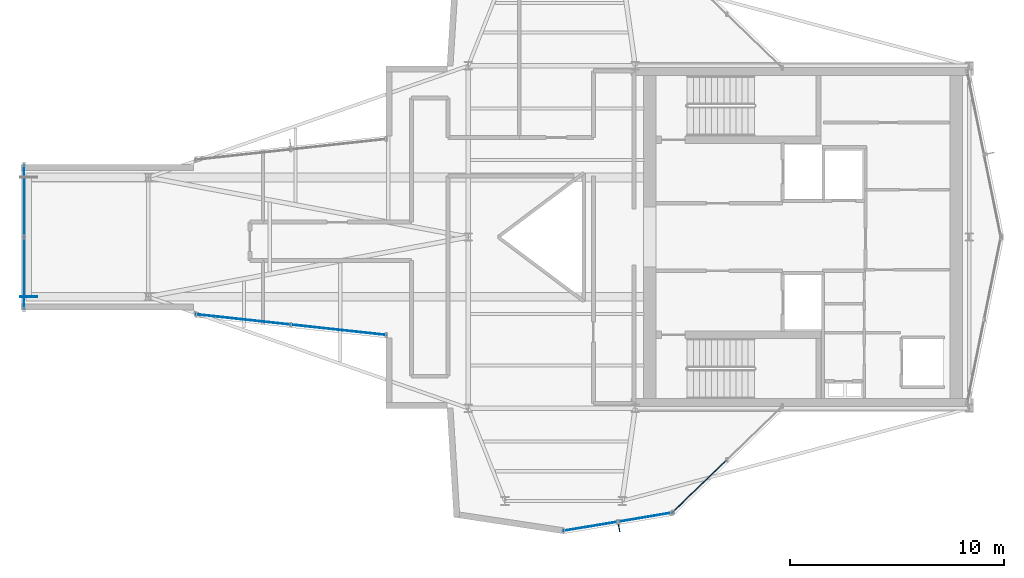
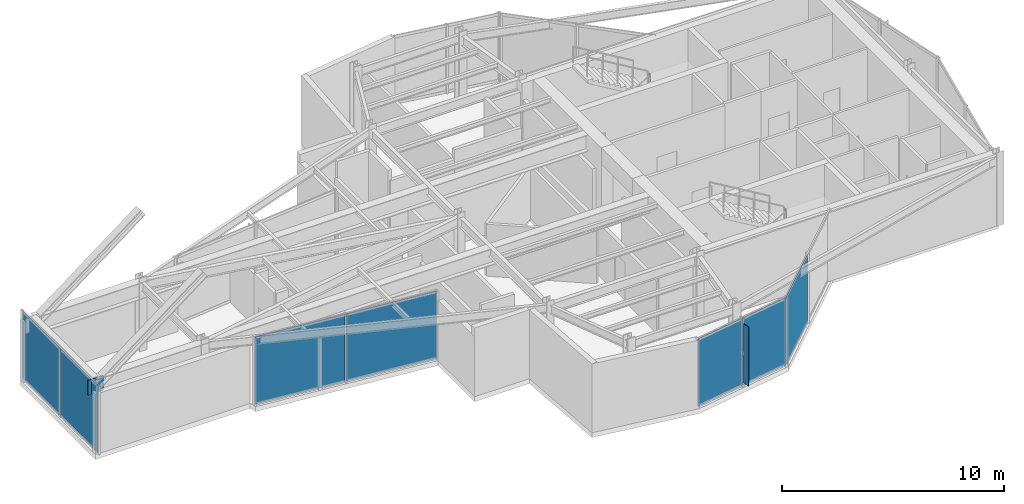
# One storey, part 10 of 16: 9 plates, 4 elements without a shape of their own.
"""IFC4 building model written with IfcOpenShell, lengths in metres."""

import ifcopenshell
import ifcopenshell.guid

model = None  # the IFC model being written
_history = None  # IfcOwnerHistory: only IFC2X3 demands one
_inside = {}  # id of a spatial element -> (the spatial element, [elements in it])
_under = {}  # id of a project, library or spatial element -> (it, [spatial elements below it])
_declared = {}  # id of a project -> (the project, [libraries it declares])
_typed = {}  # id of a type object -> (the type object, [elements of that type])
_made_of = {}  # id of a material, layer set ... -> (it, [elements and type objects made of it])


def new_model(schema):
    """Start an empty IFC model of exactly this schema.

    Asked for "IFC4X3", IfcOpenShell would pick the latest addendum, in which some entities
    have other attributes; the version numbers below select the first issue.
    IFC2X3 requires an IfcOwnerHistory on every rooted entity: one is made here for all.
    """
    global model, _history
    if schema == "IFC4X3":
        model = ifcopenshell.file(schema_version=(4, 3, 0, 0))
    else:
        model = ifcopenshell.file(schema=schema)
    _inside.clear()
    _under.clear()
    _declared.clear()
    _typed.clear()
    _made_of.clear()
    _history = None
    if model.schema == "IFC2X3":
        org = make("IfcOrganization", Name="unknown")
        user = make(
            "IfcPersonAndOrganization",
            ThePerson=make("IfcPerson", FamilyName="unknown"),
            TheOrganization=org,
        )
        app = make(
            "IfcApplication",
            ApplicationDeveloper=org,
            Version="unknown",
            ApplicationFullName="unknown",
            ApplicationIdentifier="unknown",
        )
        _history = make(
            "IfcOwnerHistory",
            OwningUser=user,
            OwningApplication=app,
            ChangeAction="ADDED",
            CreationDate=0,
        )
    return model


def make(cls, **values):
    """One entity of the class cls with the attributes given. An attribute that is None is left unset."""
    return model.create_entity(
        cls, **{name: value for name, value in values.items() if value is not None}
    )


def rooted(cls, **values):
    """An entity with a GlobalId (a new one), such as an element, a storey or a relation."""
    return make(cls, GlobalId=ifcopenshell.guid.new(), OwnerHistory=_history, **values)


def si_unit(unit_type, name, prefix=None):
    """IfcSIUnit, for example si_unit("LENGTHUNIT", "METRE", prefix="MILLI")."""
    return make("IfcSIUnit", UnitType=unit_type, Prefix=prefix, Name=name)


def assignment(units):
    """IfcUnitAssignment: the units of a project."""
    return None if units is None else make("IfcUnitAssignment", Units=units)


def point(xyz):
    """IfcCartesianPoint."""
    return None if xyz is None else make("IfcCartesianPoint", Coordinates=xyz)


def direction(xyz):
    """IfcDirection."""
    return None if xyz is None else make("IfcDirection", DirectionRatios=xyz)


def frame(location, z_axis=None, x_axis=None):
    """IfcAxis2Placement3D, a coordinate frame: its origin and axes. An axis left out is left unset."""
    return make(
        "IfcAxis2Placement3D",
        Location=point(location),
        Axis=direction(z_axis),
        RefDirection=direction(x_axis),
    )


def frame_2d(location, x_axis=None):
    """IfcAxis2Placement2D, a coordinate frame in the plane: its origin and x axis."""
    return make(
        "IfcAxis2Placement2D", Location=point(location), RefDirection=direction(x_axis)
    )


def origin():
    """The frame at (0, 0, 0) with its axes left unset."""
    return frame((0.0, 0.0, 0.0))


def origin_2d():
    """The frame at (0, 0) in the plane with its x axis left unset."""
    return frame_2d((0.0, 0.0))


def place(relative_to, where):
    """IfcLocalPlacement: puts the frame where relative to a parent placement (None: the world)."""
    return make(
        "IfcLocalPlacement", PlacementRelTo=relative_to, RelativePlacement=where
    )


def context(
    kind, dimensions, precision=None, world=None, true_north=None, identifier=None
):
    """IfcGeometricRepresentationContext, for example the 3D "Model" context."""
    return make(
        "IfcGeometricRepresentationContext",
        ContextIdentifier=identifier,
        ContextType=kind,
        CoordinateSpaceDimension=dimensions,
        Precision=precision,
        WorldCoordinateSystem=world,
        TrueNorth=true_north,
    )


def subcontext(parent, identifier, kind, view, scale=None):
    """IfcGeometricRepresentationSubContext, for example "Body" below "Model"."""
    return make(
        "IfcGeometricRepresentationSubContext",
        ContextIdentifier=identifier,
        ContextType=kind,
        ParentContext=parent,
        TargetScale=scale,
        TargetView=view,
    )


def project(units=None, contexts=None):
    """IfcProject with its units and contexts."""
    return rooted(
        "IfcProject",
        Name="project",
        RepresentationContexts=contexts,
        UnitsInContext=assignment(units),
    )


def spatial(cls, under=None, at=None, **own):
    """A site, building, storey or space (cls), placed at a placement, below another one or the project."""
    s = rooted(cls, ObjectPlacement=at, **own)
    if under is not None:
        _under.setdefault(under.id(), (under, []))[1].append(s)
    return s


def profile(cls, at=None, kind="AREA", **sizes):
    """A parametric profile (cls). Its sizes go by their IFC names, for example OverallWidth=200.0."""
    return make(cls, ProfileType=kind, Position=at, **sizes)


def rectangle(**sizes):
    """IfcRectangleProfileDef."""
    return profile("IfcRectangleProfileDef", **sizes)


def extrude(swept, where, along, depth):
    """IfcExtrudedAreaSolid: the profile swept, set in the frame where, extruded along a direction by depth."""
    return make(
        "IfcExtrudedAreaSolid",
        SweptArea=swept,
        Position=where,
        ExtrudedDirection=direction(along),
        Depth=depth,
    )


def shape(context_of_items, identifier, shape_type, items):
    """IfcShapeRepresentation: the items that make up one representation, for example the "Body"."""
    return make(
        "IfcShapeRepresentation",
        ContextOfItems=context_of_items,
        RepresentationIdentifier=identifier,
        RepresentationType=shape_type,
        Items=items,
    )


def material(Name=None, Category=None):
    """IfcMaterial."""
    return make("IfcMaterial", Name=Name, Category=Category)


def layer(
    of_material, thickness, ventilated=None, Name=None, Category=None, Priority=None
):
    """IfcMaterialLayer: one layer of a wall or slab, of a material (None: an air gap)."""
    return make(
        "IfcMaterialLayer",
        Material=of_material,
        LayerThickness=thickness,
        IsVentilated=ventilated,
        Name=Name,
        Category=Category,
        Priority=Priority,
    )


def layer_set(layers, Name=None):
    """IfcMaterialLayerSet."""
    return make("IfcMaterialLayerSet", MaterialLayers=layers, LayerSetName=Name)


def made_of(thing, what):
    """Note that an element or type object is made of a material, layer set ...; save() writes the relation."""
    if what is not None:
        _made_of.setdefault(what.id(), (what, []))[1].append(thing)
    return thing


def type_object(cls, material=None, **own):
    """A type object (cls), such as IfcWallType, which elements share."""
    return made_of(rooted(cls, **own), material)


def element(
    cls,
    number,
    at=None,
    inside=None,
    cuts=None,
    type_object=None,
    material=None,
    context=None,
    identifier="Body",
    shape_type=None,
    held_by="IfcProductDefinitionShape",
    body=None,
    shapes=None,
    **own,
):
    """One element of the class cls, such as IfcWall. Its Tag is "e" and its number.

    at: its placement. inside: the storey or other place that contains it. cuts: it is an
    opening in that element (IfcRelVoidsElement). A single representation is given by context,
    identifier, shape_type and body (its items); several are given by shapes. held_by: the class
    of the entity that holds the representations. save() writes the other relations.
    """
    e = rooted(cls, Tag="e%d" % number, ObjectPlacement=at, **own)
    if body is not None:
        shapes = [shape(context, identifier, shape_type, body)]
    if shapes is not None:
        e.Representation = make(held_by, Representations=shapes)
    if inside is not None:
        _inside.setdefault(inside.id(), (inside, []))[1].append(e)
    if cuts is not None:
        rooted(
            "IfcRelVoidsElement", RelatingBuildingElement=cuts, RelatedOpeningElement=e
        )
    if type_object is not None:
        _typed.setdefault(type_object.id(), (type_object, []))[1].append(e)
    return made_of(e, material)


def aggregate(whole, parts):
    """IfcRelAggregates: a whole, such as a stair, and the parts it consists of."""
    return rooted("IfcRelAggregates", RelatingObject=whole, RelatedObjects=parts)


def save(model, path):
    """Write the relations noted so far, then the file.

    IfcRelAggregates (storeys below a building ...), IfcRelContainedInSpatialStructure (elements
    in a storey), IfcRelDefinesByType, IfcRelAssociatesMaterial and IfcRelDeclares: one each for
    every whole, place, type object, material and project.
    """
    for whole, parts in _under.values():
        aggregate(whole, parts)
    for where, things in _inside.values():
        rooted(
            "IfcRelContainedInSpatialStructure",
            RelatedElements=things,
            RelatingStructure=where,
        )
    for kind, things in _typed.values():
        rooted("IfcRelDefinesByType", RelatedObjects=things, RelatingType=kind)
    for what, things in _made_of.values():
        rooted("IfcRelAssociatesMaterial", RelatedObjects=things, RelatingMaterial=what)
    for by, libraries in _declared.values():
        rooted("IfcRelDeclares", RelatingContext=by, RelatedDefinitions=libraries)
    model.write(path)


model = new_model("IFC4")

# Units and contexts
model_context = context("Model", 3, precision=1e-05, world=origin(), true_north=direction((0.0, 1.0)))
body_context = subcontext(model_context, "Body", "Model", "MODEL_VIEW")
ifc_project = project(units=[si_unit("LENGTHUNIT", "METRE"), si_unit("AREAUNIT", "SQUARE_METRE"), si_unit("VOLUMEUNIT", "CUBIC_METRE"), si_unit("PLANEANGLEUNIT", "RADIAN"), si_unit("MASSUNIT", "GRAM", prefix="KILO")], contexts=[model_context])

# Site, building, storey
site_placement = place(None, origin())
site = spatial("IfcSite", under=ifc_project, at=site_placement, CompositionType="ELEMENT")
building_placement = place(site_placement, origin())
building = spatial("IfcBuilding", under=site, at=building_placement, Name="Veymaron Broadcast Tower", CompositionType="ELEMENT")
storey_placement = place(building_placement, frame((0.0, 0.0, 315.449951171875)))
storey = spatial("IfcBuildingStorey", under=building, at=storey_placement, Name="L74", CompositionType="ELEMENT", Elevation=315.449951171875)

# Curtain wall, plates
ifc_material_1 = material(Name="Anodised aluminium AA 6063-T6 and laminated low-E dark glass", Category="aluminium")
ifc_layer_1 = layer(ifc_material_1, 0.179931640625)
ifc_layer_set_1 = layer_set([ifc_layer_1], Name="Anodised aluminium AA 6063-T6 and laminated low-E dark glass")
curtain_wall_type = type_object("IfcCurtainWallType", Name="CW-SYS-07", PredefinedType="NOTDEFINED", material=ifc_layer_set_1)
curtain_wall_1_placement = place(storey_placement, origin())
curtain_wall_1 = element("IfcCurtainWall", 1, at=curtain_wall_1_placement, inside=storey, type_object=curtain_wall_type, Name="L74 dark-glass curtain wall CW-L74-E2-1", PredefinedType="NOTDEFINED")
ifc_material_2 = material(Name="Triple-laminated solar-control dark glass IGU 36 mm", Category="glass")
ifc_layer_2 = layer(ifc_material_2, 0.035888671875)
ifc_layer_set_2 = layer_set([ifc_layer_2], Name="Triple-laminated solar-control dark glass IGU 36 mm")
plate_type_1 = type_object("IfcPlateType", Name="CW-PNL-01", PredefinedType="CURTAIN_PANEL", material=ifc_layer_set_2)
plate_1_placement = place(storey_placement, frame((20.684814453125, 20.14892578125, 0.0400390625), z_axis=(0.0, 0.0, 1.0), x_axis=(0.9941735615, -0.107791138848, 0.0)))
plate_1 = element("IfcPlate", 2, at=plate_1_placement, type_object=plate_type_1, Name="CW-L74-E2-1 unitised curtain panel 0", PredefinedType="CURTAIN_PANEL", context=body_context, shape_type="SweptSolid", body=[
    extrude(rectangle(XDim=4.42529296875, YDim=0.035888671875, at=origin_2d()), origin(), (0.0, 0.0, 1.0), 3.699951171875),
])
plate_2_placement = place(storey_placement, frame((25.143798828125, 19.665283203125, 0.0400390625), z_axis=(0.0, 0.0, 1.0), x_axis=(0.9941735615, -0.107791138848, 0.0)))
plate_2 = element("IfcPlate", 3, at=plate_2_placement, type_object=plate_type_1, Name="CW-L74-E2-1 unitised curtain panel 1", PredefinedType="CURTAIN_PANEL", context=body_context, shape_type="SweptSolid", body=[
    extrude(rectangle(XDim=4.42529296875, YDim=0.035888671875, at=origin_2d()), origin(), (0.0, 0.0, 1.0), 3.699951171875),
])
aggregate(curtain_wall_1, [plate_1, plate_2])

curtain_wall_2_placement = place(storey_placement, origin())
curtain_wall_2 = element("IfcCurtainWall", 4, at=curtain_wall_2_placement, inside=storey, type_object=curtain_wall_type, Name="L74 dark-glass curtain wall CW-L74-E7-1", PredefinedType="NOTDEFINED")
plate_3_placement = place(storey_placement, frame((36.916259765625, 10.48681640625, 0.0400390625), z_axis=(0.0, 0.0, 1.0), x_axis=(0.986434987778, 0.164152413592, 0.0)))
plate_3 = element("IfcPlate", 5, at=plate_3_placement, type_object=plate_type_1, Name="CW-L74-E7-1 unitised curtain panel 0", PredefinedType="CURTAIN_PANEL", context=body_context, shape_type="SweptSolid", body=[
    extrude(rectangle(XDim=2.5400390625, YDim=0.035888671875, at=origin_2d()), origin(), (0.0, 0.0, 1.0), 3.699951171875),
])
plate_4_placement = place(storey_placement, frame((39.481201171875, 10.91357421875, 0.0400390625), z_axis=(0.0, 0.0, 1.0), x_axis=(0.986434987778, 0.164152413592, 0.0)))
plate_4 = element("IfcPlate", 6, at=plate_4_placement, type_object=plate_type_1, Name="CW-L74-E7-1 unitised curtain panel 1", PredefinedType="CURTAIN_PANEL", context=body_context, shape_type="SweptSolid", body=[
    extrude(rectangle(XDim=2.5400390625, YDim=0.035888671875, at=origin_2d()), origin(), (0.0, 0.0, 1.0), 3.699951171875),
])
aggregate(curtain_wall_2, [plate_3, plate_4])

# Curtain wall, plate
curtain_wall_3_placement = place(storey_placement, origin())
curtain_wall_3 = element("IfcCurtainWall", 7, at=curtain_wall_3_placement, inside=storey, type_object=curtain_wall_type, Name="L74 dark-glass curtain wall CW-L74-E8-1", PredefinedType="NOTDEFINED")
plate_5_placement = place(storey_placement, frame((41.985595703125, 12.34228515625, 0.0400390625), z_axis=(0.0, 0.0, 1.0), x_axis=(0.719097275004, 0.694909425092, 0.0)))
plate_5 = element("IfcPlate", 8, at=plate_5_placement, type_object=plate_type_1, Name="CW-L74-E8-1 unitised curtain panel 0", PredefinedType="CURTAIN_PANEL", context=body_context, shape_type="SweptSolid", body=[
    extrude(rectangle(XDim=3.545654296875, YDim=0.035888671875, at=origin_2d()), origin(), (0.0, 0.0, 1.0), 3.699951171875),
])
aggregate(curtain_wall_3, [plate_5])

# Curtain wall, plates
curtain_wall_4_placement = place(storey_placement, origin())
curtain_wall_4 = element("IfcCurtainWall", 9, at=curtain_wall_4_placement, inside=storey, type_object=curtain_wall_type, Name="L74 dark-glass curtain wall CW-L74-E22-1", PredefinedType="NOTDEFINED")
plate_6_placement = place(storey_placement, frame((10.44873046875, 25.699951171875, 0.0400390625), z_axis=(0.0, 0.0, 1.0), x_axis=(0.0, -1.0, 0.0)))
plate_6 = element("IfcPlate", 10, at=plate_6_placement, type_object=plate_type_1, Name="CW-L74-E22-1 unitised curtain panel 0", PredefinedType="CURTAIN_PANEL", context=body_context, shape_type="SweptSolid", body=[
    extrude(rectangle(XDim=3.340087890625, YDim=0.035888671875, at=origin_2d()), origin(), (0.0, 0.0, 1.0), 3.699951171875),
])
plate_7_placement = place(storey_placement, frame((10.44873046875, 22.300048828125, 0.0400390625), z_axis=(0.0, 0.0, 1.0), x_axis=(0.0, -1.0, 0.0)))
plate_7 = element("IfcPlate", 11, at=plate_7_placement, type_object=plate_type_1, Name="CW-L74-E22-1 unitised curtain panel 1", PredefinedType="CURTAIN_PANEL", context=body_context, shape_type="SweptSolid", body=[
    extrude(rectangle(XDim=3.340087890625, YDim=0.035888671875, at=origin_2d()), origin(), (0.0, 0.0, 1.0), 3.699951171875),
])
aggregate(curtain_wall_4, [plate_6, plate_7])

# Plates
ifc_material_3 = material(Name="Dark-anodised aluminium AA 6061-T6", Category="aluminium")
ifc_layer_3 = layer(ifc_material_3, 0.030029296875)
ifc_layer_set_3 = layer_set([ifc_layer_3], Name="Dark-anodised aluminium AA 6061-T6")
plate_type_2 = type_object("IfcPlateType", Name="FIN-CHEV-02", PredefinedType="USERDEFINED", material=ifc_layer_set_3)
plate_8_placement = place(storey_placement, frame((38.248779296875, 10.399169921875, 0.2646484375), z_axis=(0.0, 0.0, 1.0), x_axis=(0.164152413592, -0.986434987778, 0.0)))
element("IfcPlate", 12, at=plate_8_placement, inside=storey, type_object=plate_type_2, Name="CW-L74-E7-1 chevron fin 1", ObjectType="FIN", PredefinedType="USERDEFINED", context=body_context, shape_type="SweptSolid", body=[
    extrude(rectangle(XDim=0.35009765625, YDim=0.034912109375, at=origin_2d()), origin(), (0.0, 0.0, 1.0), 3.250732421875),
])
ifc_material_4 = material(Name="Structural steel ASTM A913 Gr 65", Category="steel")
ifc_layer_4 = layer(ifc_material_4, 0.044921875)
ifc_layer_set_4 = layer_set([ifc_layer_4], Name="Structural steel ASTM A913 Gr 65")
plate_type_3 = type_object("IfcPlateType", Name="PLT-NODE-ON1", PredefinedType="SHEET", material=ifc_layer_set_4)
plate_9_placement = place(storey_placement, frame((10.65869140625, 21.2119140625, 2.93017578125), z_axis=(0.0, 0.0, 1.0), x_axis=(1.0, 0.0, 0.0)))
element("IfcPlate", 13, at=plate_9_placement, inside=storey, type_object=plate_type_3, Name="L74 Cantilever tip gusset node ON1 S", PredefinedType="SHEET", context=body_context, shape_type="SweptSolid", body=[
    extrude(rectangle(XDim=0.800048828125, YDim=0.044921875, at=origin_2d()), origin(), (0.0, 0.0, 1.0), 0.800048828125),
])

save(model, "model.ifc")
